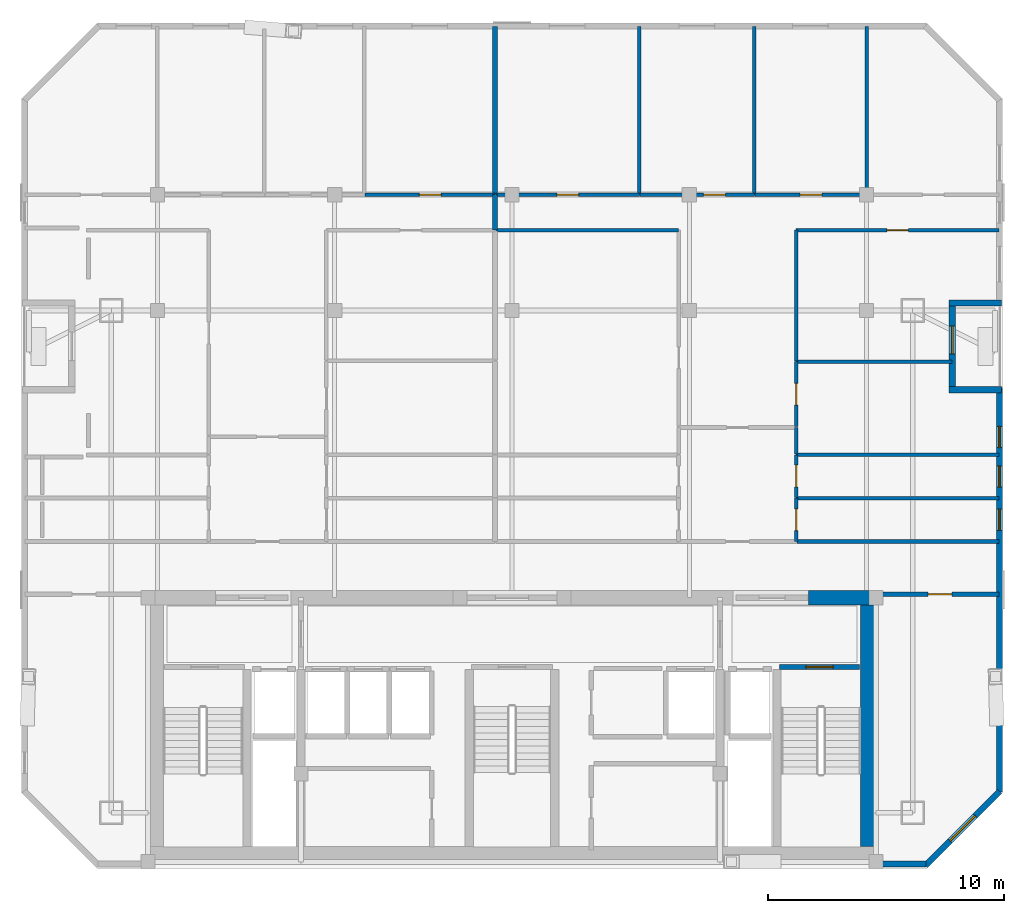
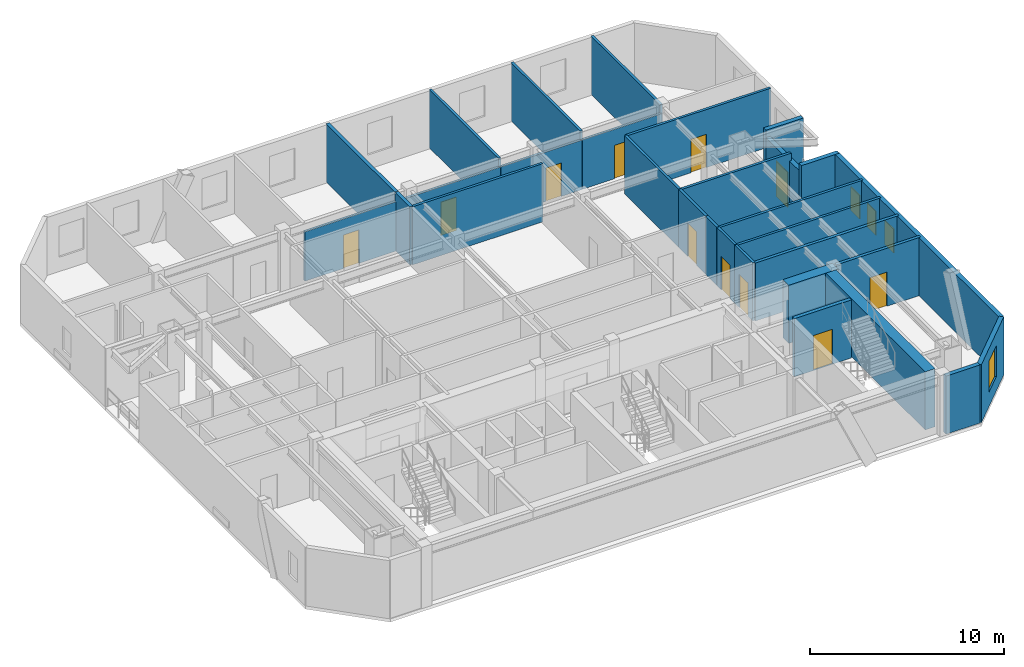
# One storey, part 5 of 7: 30 walls, 11 doors, 4 windows, 15 openings.
"""IFC4 building model written with IfcOpenShell, lengths in metres."""

from ifc_helpers import new_model, si_unit, direction, frame, frame_2d, origin, place, context, subcontext, project, spatial, rectangle, extrude, material, layer, layer_set, type_object, element, fill, save


model = new_model("IFC4")

# Units and contexts
model_context = context("Model", 3, precision=1e-05, world=origin(), true_north=direction((0.0, 1.0)))
body_context = subcontext(model_context, "Body", "Model", "MODEL_VIEW")
ifc_project = project(units=[si_unit("LENGTHUNIT", "METRE"), si_unit("AREAUNIT", "SQUARE_METRE"), si_unit("VOLUMEUNIT", "CUBIC_METRE"), si_unit("PLANEANGLEUNIT", "RADIAN"), si_unit("MASSUNIT", "GRAM", prefix="KILO")], contexts=[model_context])

# Site, building, storey
site_placement = place(None, origin())
site = spatial("IfcSite", under=ifc_project, at=site_placement, CompositionType="ELEMENT")
building_placement = place(site_placement, origin())
building = spatial("IfcBuilding", under=site, at=building_placement, Name="Ventersveld Concourse Tower", CompositionType="ELEMENT")
storey_placement = place(building_placement, frame((0.0, 0.0, 260.60009765625)))
storey = spatial("IfcBuildingStorey", under=building, at=storey_placement, Name="L64", CompositionType="ELEMENT", Elevation=260.60009765625)

# Walls
ifc_material_1 = material(Name="Concrete C50/60", Category="concrete")
ifc_layer_1 = layer(ifc_material_1, 0.60009765625)
ifc_layer_set_1 = layer_set([ifc_layer_1], Name="Concrete C50/60")
wall_type_1 = type_object("IfcWallType", Name="WL-CORE-600", PredefinedType="SHEAR", material=ifc_layer_set_1)
wall_1_placement = place(storey_placement, frame((43.800048828125, 0.919921875, 0.0), z_axis=(0.0, 0.0, 1.0), x_axis=(0.0, 1.0, 0.0)))
element("IfcWall", 1, at=wall_1_placement, inside=storey, type_object=wall_type_1, Name="L64 Rear Core East Shear Wall", PredefinedType="SHEAR", context=body_context, shape_type="SweptSolid", body=[
    extrude(rectangle(XDim=10.530029296875, YDim=0.60009765625, at=frame_2d((5.26513671875, 0.0))), origin(), (0.0, 0.0, 1.0), 3.64990234375),
])
wall_2_placement = place(storey_placement, frame((41.300048828125, 11.449951171875, 0.0), z_axis=(0.0, 0.0, 1.0), x_axis=(1.0, 0.0, 0.0)))
element("IfcWall", 2, at=wall_2_placement, inside=storey, type_object=wall_type_1, Name="L64 Rear Core North Shear Wall NE", PredefinedType="SHEAR", context=body_context, shape_type="SweptSolid", body=[
    extrude(rectangle(XDim=2.949951171875, YDim=0.60009765625, at=frame_2d((1.47509765625, 0.0))), origin(), (0.0, 0.0, 1.0), 3.64990234375),
])

# Wall, opening, door
ifc_material_2 = material(Name="Fire-rated autoclaved aerated masonry blockwork", Category="masonry")
ifc_layer_2 = layer(ifc_material_2, 0.179931640625)
ifc_layer_set_2 = layer_set([ifc_layer_2], Name="Fire-rated autoclaved aerated masonry blockwork")
wall_type_2 = type_object("IfcWallType", Name="WL-CORR-180", PredefinedType="PARTITIONING", material=ifc_layer_set_2)
wall_3_placement = place(storey_placement, frame((44.35498046875, 11.60009765625, 0.0), z_axis=(0.0, 0.0, 1.0), x_axis=(1.0, 0.0, 0.0)))
wall_3 = element("IfcWall", 3, at=wall_3_placement, inside=storey, type_object=wall_type_2, Name="L64 Interior Partition SP-L64-SE-OFF-SP-L64-COR", PredefinedType="PARTITIONING", context=body_context, shape_type="SweptSolid", body=[
    extrude(rectangle(XDim=4.997802734375, YDim=0.179931640625, at=frame_2d((2.4990234375, 0.0))), origin(), (0.0, 0.0, 1.0), 3.64990234375),
])
opening_1_placement = place(wall_3_placement, frame((1.998779296875, 0.0, 0.0)))
opening_1 = element("IfcOpeningElement", 4, at=opening_1_placement, cuts=wall_3, Name="Opening FD3", PredefinedType="OPENING", context=body_context, shape_type="SweptSolid", body=[
    extrude(rectangle(XDim=1.0, YDim=2.14990234375, at=frame_2d((0.5, 1.074951171875))), frame((0.0, 0.10009765625, 0.0), z_axis=(0.0, -1.0, 0.0), x_axis=(1.0, 0.0, 0.0)), (0.0, 0.0, 1.0), 0.199951171875),
])
ifc_material_3 = material(Name="Solid-core hardwood veneer timber", Category="wood")
door_type_1 = type_object("IfcDoorType", Name="DR-FLAT-100", OperationType="NOTDEFINED", PredefinedType="DOOR", material=ifc_material_3)
door_1_placement = place(opening_1_placement, origin())
door_1 = element("IfcDoor", 5, at=door_1_placement, inside=storey, type_object=door_type_1, Name="L64 Interior Door SP-L64-SE-OFF to SP-L64-COR (D-L64-3023)", OperationType="SINGLE_SWING_LEFT", OverallHeight=2.14990234375, OverallWidth=1.0, PredefinedType="DOOR", context=body_context, shape_type="SweptSolid", body=[
    extrude(rectangle(XDim=1.0, YDim=2.14990234375, at=frame_2d((0.5, 1.074951171875))), frame((0.0, 0.02490234375, 0.0), z_axis=(0.0, -1.0, 0.0), x_axis=(1.0, 0.0, 0.0)), (0.0, 0.0, 1.0), 0.050048828125),
])
fill(opening_1, door_1)

# Walls
wall_4_placement = place(storey_placement, frame((40.81201171875, 13.830078125, 0.0), z_axis=(0.0, 0.0, 1.0), x_axis=(1.0, 0.0, 0.0)))
element("IfcWall", 6, at=wall_4_placement, inside=storey, type_object=wall_type_2, Name="L64 Interior Partition SP-L64-COR-SP-L64-64N2-KIT", PredefinedType="PARTITIONING", context=body_context, shape_type="SweptSolid", body=[
    extrude(rectangle(XDim=8.540771484375, YDim=0.179931640625, at=frame_2d((4.2705078125, 0.0))), origin(), (0.0, 0.0, 1.0), 3.64990234375),
])
ifc_layer_3 = layer(ifc_material_2, 0.199951171875)
ifc_layer_set_3 = layer_set([ifc_layer_3], Name="Fire-rated autoclaved aerated masonry blockwork")
wall_type_3 = type_object("IfcWallType", Name="WL-DEMISE-200", PredefinedType="PARTITIONING", material=ifc_layer_set_3)
wall_5_placement = place(storey_placement, frame((28.032470703125, 26.9951171875, 0.0), z_axis=(0.0, 0.0, 1.0), x_axis=(0.0, 1.0, 0.0)))
element("IfcWall", 7, at=wall_5_placement, inside=storey, type_object=wall_type_3, Name="L64 Interior Partition SP-L64-64N1-LIV-SP-L64-64N2-LIV", PredefinedType="PARTITIONING", context=body_context, shape_type="SweptSolid", body=[
    extrude(rectangle(XDim=1.509765625, YDim=0.199951171875, at=frame_2d((0.7548828125, 0.0))), origin(), (0.0, 0.0, 1.0), 3.64990234375),
])
wall_6_placement = place(storey_placement, frame((28.032470703125, 28.534912109375, 0.0), z_axis=(0.0, 0.0, 1.0), x_axis=(0.0, 1.0, 0.0)))
element("IfcWall", 8, at=wall_6_placement, inside=storey, type_object=wall_type_3, Name="L64 Interior Partition SP-L64-64N1-BR4-SP-L64-64N2-BR1", PredefinedType="PARTITIONING", context=body_context, shape_type="SweptSolid", body=[
    extrude(rectangle(XDim=7.076171875, YDim=0.199951171875, at=frame_2d((3.5380859375, 0.0))), origin(), (0.0, 0.0, 1.0), 3.64990234375),
])

# Wall, opening, door
ifc_layer_4 = layer(ifc_material_2, 0.219970703125)
ifc_layer_set_4 = layer_set([ifc_layer_4], Name="Fire-rated autoclaved aerated masonry blockwork")
wall_type_4 = type_object("IfcWallType", Name="WL-HOIST-220", PredefinedType="SOLIDWALL", material=ifc_layer_set_4)
wall_7_placement = place(storey_placement, frame((40.06005859375, 8.52001953125, 0.0), z_axis=(0.0, 0.0, 1.0), x_axis=(1.0, 0.0, 0.0)))
wall_7 = element("IfcWall", 9, at=wall_7_placement, inside=storey, type_object=wall_type_4, Name="L64 Escape Stair ST02 Fire Wall", PredefinedType="SOLIDWALL", context=body_context, shape_type="SweptSolid", body=[
    extrude(rectangle(XDim=3.39990234375, YDim=0.219970703125, at=frame_2d((1.699951171875, 0.0))), origin(), (0.0, 0.0, 1.0), 3.64990234375),
])
opening_2_placement = place(wall_7_placement, frame((1.125, 0.0, 0.0)))
opening_2 = element("IfcOpeningElement", 10, at=opening_2_placement, cuts=wall_7, Name="Opening FD1", PredefinedType="OPENING", context=body_context, shape_type="SweptSolid", body=[
    extrude(rectangle(XDim=1.14990234375, YDim=2.199951171875, at=frame_2d((0.574951171875, 1.10009765625))), frame((0.0, 0.1201171875, 0.0), z_axis=(0.0, -1.0, 0.0), x_axis=(1.0, 0.0, 0.0)), (0.0, 0.0, 1.0), 0.239990234375),
])
ifc_material_4 = material(Name="Galvanised painted steel", Category="steel")
door_type_2 = type_object("IfcDoorType", Name="DR-STAIR-115", OperationType="NOTDEFINED", PredefinedType="DOOR", material=ifc_material_4)
door_2_placement = place(opening_2_placement, origin())
door_2 = element("IfcDoor", 11, at=door_2_placement, inside=storey, type_object=door_type_2, Name="L64 Escape Stair Door ST02 (SD-L64-3012)", OperationType="SINGLE_SWING_RIGHT", OverallHeight=2.199951171875, OverallWidth=1.14990234375, PredefinedType="DOOR", context=body_context, shape_type="SweptSolid", body=[
    extrude(rectangle(XDim=1.14990234375, YDim=2.199951171875, at=frame_2d((0.574951171875, 1.10009765625))), frame((0.0, 0.02490234375, 0.0), z_axis=(0.0, -1.0, 0.0), x_axis=(1.0, 0.0, 0.0)), (0.0, 0.0, 1.0), 0.050048828125),
])
fill(opening_2, door_2)

ifc_material_5 = material(Name="Autoclaved aerated masonry blockwork", Category="masonry")
ifc_layer_5 = layer(ifc_material_5, 0.14990234375)
ifc_layer_set_5 = layer_set([ifc_layer_5], Name="Autoclaved aerated masonry blockwork")
wall_type_5 = type_object("IfcWallType", Name="WL-INT-150", PredefinedType="PARTITIONING", material=ifc_layer_set_5)
wall_8_placement = place(storey_placement, frame((22.5390625, 28.5, 0.0), z_axis=(0.0, 0.0, 1.0), x_axis=(1.0, 0.0, 0.0)))
wall_8 = element("IfcWall", 12, at=wall_8_placement, inside=storey, type_object=wall_type_5, Name="L64 Interior Partition SP-L64-64N1-LIV-SP-L64-64N1-BR4", PredefinedType="PARTITIONING", context=body_context, shape_type="SweptSolid", body=[
    extrude(rectangle(XDim=5.49853515625, YDim=0.14990234375, at=frame_2d((2.749267578125, 0.0))), origin(), (0.0, 0.0, 1.0), 3.10546875),
])
opening_3_placement = place(wall_8_placement, frame((2.289306640625, 0.0, 0.0)))
opening_3 = element("IfcOpeningElement", 13, at=opening_3_placement, cuts=wall_8, Name="Opening ID1", PredefinedType="OPENING", context=body_context, shape_type="SweptSolid", body=[
    extrude(rectangle(XDim=0.919921875, YDim=2.10009765625, at=frame_2d((0.4599609375, 1.050048828125))), frame((0.0, 0.0849609375, 0.0), z_axis=(0.0, -1.0, 0.0), x_axis=(1.0, 0.0, 0.0)), (0.0, 0.0, 1.0), 0.169921875),
])
door_type_3 = type_object("IfcDoorType", Name="DR-ROOM-092", OperationType="NOTDEFINED", PredefinedType="DOOR", material=ifc_material_3)
door_3_placement = place(opening_3_placement, origin())
door_3 = element("IfcDoor", 14, at=door_3_placement, inside=storey, type_object=door_type_3, Name="L64 Interior Door SP-L64-64N1-LIV to SP-L64-64N1-BR4 (D-L64-3037)", OperationType="SINGLE_SWING_LEFT", OverallHeight=2.10009765625, OverallWidth=0.919921875, PredefinedType="DOOR", context=body_context, shape_type="SweptSolid", body=[
    extrude(rectangle(XDim=0.919921875, YDim=2.10009765625, at=frame_2d((0.4599609375, 1.050048828125))), frame((0.0, 0.02490234375, 0.0), z_axis=(0.0, -1.0, 0.0), x_axis=(1.0, 0.0, 0.0)), (0.0, 0.0, 1.0), 0.050048828125),
])
fill(opening_3, door_3)

wall_9_placement = place(storey_placement, frame((40.777099609375, 13.824951171875, 0.0), z_axis=(0.0, 0.0, 1.0), x_axis=(0.0, 1.0, 0.0)))
wall_9 = element("IfcWall", 15, at=wall_9_placement, inside=storey, type_object=wall_type_5, Name="L64 Interior Partition SP-L64-64N2-FOY-SP-L64-64N2-KIT", PredefinedType="PARTITIONING", context=body_context, shape_type="SweptSolid", body=[
    extrude(rectangle(XDim=1.840087890625, YDim=0.14990234375, at=frame_2d((0.919921875, 0.0))), origin(), (0.0, 0.0, 1.0), 3.64990234375),
])
opening_4_placement = place(wall_9_placement, frame((0.4599609375, 0.0, 0.0)))
opening_4 = element("IfcOpeningElement", 16, at=opening_4_placement, cuts=wall_9, Name="Opening ID1", PredefinedType="OPENING", context=body_context, shape_type="SweptSolid", body=[
    extrude(rectangle(XDim=0.919921875, YDim=2.10009765625, at=frame_2d((0.4599609375, 1.050048828125))), frame((0.0, 0.0849609375, 0.0), z_axis=(0.0, -1.0, 0.0), x_axis=(1.0, 0.0, 0.0)), (0.0, 0.0, 1.0), 0.169921875),
])
door_4_placement = place(opening_4_placement, origin())
door_4 = element("IfcDoor", 17, at=door_4_placement, inside=storey, type_object=door_type_3, Name="L64 Interior Door SP-L64-64N2-FOY to SP-L64-64N2-KIT (D-L64-3041)", OperationType="SINGLE_SWING_LEFT", OverallHeight=2.10009765625, OverallWidth=0.919921875, PredefinedType="DOOR", context=body_context, shape_type="SweptSolid", body=[
    extrude(rectangle(XDim=0.919921875, YDim=2.10009765625, at=frame_2d((0.4599609375, 1.050048828125))), frame((0.0, 0.02490234375, 0.0), z_axis=(0.0, -1.0, 0.0), x_axis=(1.0, 0.0, 0.0)), (0.0, 0.0, 1.0), 0.050048828125),
])
fill(opening_4, door_4)

wall_10_placement = place(storey_placement, frame((40.777099609375, 15.695068359375, 0.0), z_axis=(0.0, 0.0, 1.0), x_axis=(0.0, 1.0, 0.0)))
wall_10 = element("IfcWall", 18, at=wall_10_placement, inside=storey, type_object=wall_type_5, Name="L64 Interior Partition SP-L64-64N2-FOY-SP-L64-64N2-PANR1", PredefinedType="PARTITIONING", context=body_context, shape_type="SweptSolid", body=[
    extrude(rectangle(XDim=1.800048828125, YDim=0.14990234375, at=frame_2d((0.89990234375, 0.0))), origin(), (0.0, 0.0, 1.0), 3.64990234375),
])
opening_5_placement = place(wall_10_placement, frame((0.43994140625, 0.0, 0.0)))
opening_5 = element("IfcOpeningElement", 19, at=opening_5_placement, cuts=wall_10, Name="Opening ID1", PredefinedType="OPENING", context=body_context, shape_type="SweptSolid", body=[
    extrude(rectangle(XDim=0.919921875, YDim=2.10009765625, at=frame_2d((0.4599609375, 1.050048828125))), frame((0.0, 0.0849609375, 0.0), z_axis=(0.0, -1.0, 0.0), x_axis=(1.0, 0.0, 0.0)), (0.0, 0.0, 1.0), 0.169921875),
])
door_5_placement = place(opening_5_placement, origin())
door_5 = element("IfcDoor", 20, at=door_5_placement, inside=storey, type_object=door_type_3, Name="L64 Interior Door SP-L64-64N2-FOY to SP-L64-64N2-PANR1 (D-L64-3042)", OperationType="SINGLE_SWING_RIGHT", OverallHeight=2.10009765625, OverallWidth=0.919921875, PredefinedType="DOOR", context=body_context, shape_type="SweptSolid", body=[
    extrude(rectangle(XDim=0.919921875, YDim=2.10009765625, at=frame_2d((0.4599609375, 1.050048828125))), frame((0.0, 0.02490234375, 0.0), z_axis=(0.0, -1.0, 0.0), x_axis=(1.0, 0.0, 0.0)), (0.0, 0.0, 1.0), 0.050048828125),
])
fill(opening_5, door_5)

# Walls
wall_11_placement = place(storey_placement, frame((40.777099609375, 17.52490234375, 0.0), z_axis=(0.0, 0.0, 1.0), x_axis=(0.0, 1.0, 0.0)))
element("IfcWall", 21, at=wall_11_placement, inside=storey, type_object=wall_type_5, Name="L64 Interior Partition SP-L64-64N2-FOY-SP-L64-64N2-DENR", PredefinedType="PARTITIONING", context=body_context, shape_type="SweptSolid", body=[
    extrude(rectangle(XDim=1.130859375, YDim=0.14990234375, at=frame_2d((0.5654296875, 0.0))), origin(), (0.0, 0.0, 1.0), 3.64990234375),
])
wall_12_placement = place(storey_placement, frame((28.0673828125, 27.0, 0.0), z_axis=(0.0, 0.0, 1.0), x_axis=(1.0, 0.0, 0.0)))
element("IfcWall", 22, at=wall_12_placement, inside=storey, type_object=wall_type_5, Name="L64 Interior Partition SP-L64-64N2-LIV-SP-L64-64N2-OFFL0", PredefinedType="PARTITIONING", context=body_context, shape_type="SweptSolid", body=[
    extrude(rectangle(XDim=7.734619140625, YDim=0.14990234375, at=frame_2d((3.8671875, 0.0))), origin(), (0.0, 0.0, 1.0), 3.64990234375),
])

# Wall, opening, door
wall_13_placement = place(storey_placement, frame((40.777099609375, 18.685791015625, 0.0), z_axis=(0.0, 0.0, 1.0), x_axis=(0.0, 1.0, 0.0)))
wall_13 = element("IfcWall", 23, at=wall_13_placement, inside=storey, type_object=wall_type_5, Name="L64 Interior Partition SP-L64-64N2-LIV-SP-L64-64N2-DENR", PredefinedType="PARTITIONING", context=body_context, shape_type="SweptSolid", body=[
    extrude(rectangle(XDim=2.747314453125, YDim=0.14990234375, at=frame_2d((1.37353515625, 0.0))), origin(), (0.0, 0.0, 1.0), 3.64990234375),
])
opening_6_placement = place(wall_13_placement, frame((0.91357421875, 0.0, 0.0)))
opening_6 = element("IfcOpeningElement", 24, at=opening_6_placement, cuts=wall_13, Name="Opening ID1", PredefinedType="OPENING", context=body_context, shape_type="SweptSolid", body=[
    extrude(rectangle(XDim=0.919921875, YDim=2.10009765625, at=frame_2d((0.4599609375, 1.050048828125))), frame((0.0, 0.0849609375, 0.0), z_axis=(0.0, -1.0, 0.0), x_axis=(1.0, 0.0, 0.0)), (0.0, 0.0, 1.0), 0.169921875),
])
door_6_placement = place(opening_6_placement, origin())
door_6 = element("IfcDoor", 25, at=door_6_placement, inside=storey, type_object=door_type_3, Name="L64 Interior Door SP-L64-64N2-LIV to SP-L64-64N2-DENR (D-L64-3044)", OperationType="SINGLE_SWING_RIGHT", OverallHeight=2.10009765625, OverallWidth=0.919921875, PredefinedType="DOOR", context=body_context, shape_type="SweptSolid", body=[
    extrude(rectangle(XDim=0.919921875, YDim=2.10009765625, at=frame_2d((0.4599609375, 1.050048828125))), frame((0.0, 0.02490234375, 0.0), z_axis=(0.0, -1.0, 0.0), x_axis=(1.0, 0.0, 0.0)), (0.0, 0.0, 1.0), 0.050048828125),
])
fill(opening_6, door_6)

wall_14_placement = place(storey_placement, frame((40.772216796875, 27.0, 0.0), z_axis=(0.0, 0.0, 1.0), x_axis=(1.0, 0.0, 0.0)))
wall_14 = element("IfcWall", 26, at=wall_14_placement, inside=storey, type_object=wall_type_5, Name="L64 Interior Partition SP-L64-64N2-LIV-SP-L64-64N2-DENS2", PredefinedType="PARTITIONING", context=body_context, shape_type="SweptSolid", body=[
    extrude(rectangle(XDim=8.58056640625, YDim=0.14990234375, at=frame_2d((4.290283203125, 0.0))), origin(), (0.0, 0.0, 1.0), 3.64990234375),
])
opening_7_placement = place(wall_14_placement, frame((3.830322265625, 0.0, 0.0)))
opening_7 = element("IfcOpeningElement", 27, at=opening_7_placement, cuts=wall_14, Name="Opening ID1", PredefinedType="OPENING", context=body_context, shape_type="SweptSolid", body=[
    extrude(rectangle(XDim=0.919921875, YDim=2.10009765625, at=frame_2d((0.4599609375, 1.050048828125))), frame((0.0, 0.0849609375, 0.0), z_axis=(0.0, -1.0, 0.0), x_axis=(1.0, 0.0, 0.0)), (0.0, 0.0, 1.0), 0.169921875),
])
door_7_placement = place(opening_7_placement, origin())
door_7 = element("IfcDoor", 28, at=door_7_placement, inside=storey, type_object=door_type_3, Name="L64 Interior Door SP-L64-64N2-LIV to SP-L64-64N2-DENS2 (D-L64-3045)", OperationType="SINGLE_SWING_LEFT", OverallHeight=2.10009765625, OverallWidth=0.919921875, PredefinedType="DOOR", context=body_context, shape_type="SweptSolid", body=[
    extrude(rectangle(XDim=0.919921875, YDim=2.10009765625, at=frame_2d((0.4599609375, 1.050048828125))), frame((0.0, 0.02490234375, 0.0), z_axis=(0.0, -1.0, 0.0), x_axis=(1.0, 0.0, 0.0)), (0.0, 0.0, 1.0), 0.050048828125),
])
fill(opening_7, door_7)

# Wall
wall_15_placement = place(storey_placement, frame((40.777099609375, 21.463134765625, 0.0), z_axis=(0.0, 0.0, 1.0), x_axis=(0.0, 1.0, 0.0)))
element("IfcWall", 29, at=wall_15_placement, inside=storey, type_object=wall_type_5, Name="L64 Interior Partition SP-L64-64N2-LIV-SP-L64-64N2-DENS2", PredefinedType="PARTITIONING", context=body_context, shape_type="SweptSolid", body=[
    extrude(rectangle(XDim=5.541748046875, YDim=0.14990234375, at=frame_2d((2.77099609375, 0.0))), origin(), (0.0, 0.0, 1.0), 3.64990234375),
])

# Wall, opening, door
wall_16_placement = place(storey_placement, frame((28.0673828125, 28.5, 0.0), z_axis=(0.0, 0.0, 1.0), x_axis=(1.0, 0.0, 0.0)))
wall_16 = element("IfcWall", 30, at=wall_16_placement, inside=storey, type_object=wall_type_5, Name="L64 Interior Partition SP-L64-64N2-LIV-SP-L64-64N2-BR1", PredefinedType="PARTITIONING", context=body_context, shape_type="SweptSolid", body=[
    extrude(rectangle(XDim=6.07568359375, YDim=0.14990234375, at=frame_2d((3.037841796875, 0.0))), origin(), (0.0, 0.0, 1.0), 3.10546875),
])
opening_8_placement = place(wall_16_placement, frame((2.577880859375, 0.0, 0.0)))
opening_8 = element("IfcOpeningElement", 31, at=opening_8_placement, cuts=wall_16, Name="Opening ID1", PredefinedType="OPENING", context=body_context, shape_type="SweptSolid", body=[
    extrude(rectangle(XDim=0.919921875, YDim=2.10009765625, at=frame_2d((0.4599609375, 1.050048828125))), frame((0.0, 0.0849609375, 0.0), z_axis=(0.0, -1.0, 0.0), x_axis=(1.0, 0.0, 0.0)), (0.0, 0.0, 1.0), 0.169921875),
])
door_8_placement = place(opening_8_placement, origin())
door_8 = element("IfcDoor", 32, at=door_8_placement, inside=storey, type_object=door_type_3, Name="L64 Interior Door SP-L64-64N2-LIV to SP-L64-64N2-BR1 (D-L64-3046)", OperationType="SINGLE_SWING_RIGHT", OverallHeight=2.10009765625, OverallWidth=0.919921875, PredefinedType="DOOR", context=body_context, shape_type="SweptSolid", body=[
    extrude(rectangle(XDim=0.919921875, YDim=2.10009765625, at=frame_2d((0.4599609375, 1.050048828125))), frame((0.0, 0.02490234375, 0.0), z_axis=(0.0, -1.0, 0.0), x_axis=(1.0, 0.0, 0.0)), (0.0, 0.0, 1.0), 0.050048828125),
])
fill(opening_8, door_8)

wall_17_placement = place(storey_placement, frame((34.173095703125, 28.5, 0.0), z_axis=(0.0, 0.0, 1.0), x_axis=(1.0, 0.0, 0.0)))
wall_17 = element("IfcWall", 33, at=wall_17_placement, inside=storey, type_object=wall_type_5, Name="L64 Interior Partition SP-L64-64N2-LIV-SP-L64-64N2-BR2", PredefinedType="PARTITIONING", context=body_context, shape_type="SweptSolid", body=[
    extrude(rectangle(XDim=4.828125, YDim=0.14990234375, at=frame_2d((2.4140625, 0.0))), origin(), (0.0, 0.0, 1.0), 3.10546875),
])
opening_9_placement = place(wall_17_placement, frame((2.67822265625, 0.0, 0.0)))
opening_9 = element("IfcOpeningElement", 34, at=opening_9_placement, cuts=wall_17, Name="Opening ID1", PredefinedType="OPENING", context=body_context, shape_type="SweptSolid", body=[
    extrude(rectangle(XDim=0.919921875, YDim=2.10009765625, at=frame_2d((0.4599609375, 1.050048828125))), frame((0.0, 0.0849609375, 0.0), z_axis=(0.0, -1.0, 0.0), x_axis=(1.0, 0.0, 0.0)), (0.0, 0.0, 1.0), 0.169921875),
])
door_9_placement = place(opening_9_placement, origin())
door_9 = element("IfcDoor", 35, at=door_9_placement, inside=storey, type_object=door_type_3, Name="L64 Interior Door SP-L64-64N2-LIV to SP-L64-64N2-BR2 (D-L64-3047)", OperationType="SINGLE_SWING_LEFT", OverallHeight=2.10009765625, OverallWidth=0.919921875, PredefinedType="DOOR", context=body_context, shape_type="SweptSolid", body=[
    extrude(rectangle(XDim=0.919921875, YDim=2.10009765625, at=frame_2d((0.4599609375, 1.050048828125))), frame((0.0, 0.02490234375, 0.0), z_axis=(0.0, -1.0, 0.0), x_axis=(1.0, 0.0, 0.0)), (0.0, 0.0, 1.0), 0.050048828125),
])
fill(opening_9, door_9)

wall_18_placement = place(storey_placement, frame((39.03125, 28.5, 0.0), z_axis=(0.0, 0.0, 1.0), x_axis=(1.0, 0.0, 0.0)))
wall_18 = element("IfcWall", 36, at=wall_18_placement, inside=storey, type_object=wall_type_5, Name="L64 Interior Partition SP-L64-64N2-LIV-SP-L64-64N2-BR3", PredefinedType="PARTITIONING", context=body_context, shape_type="SweptSolid", body=[
    extrude(rectangle(XDim=4.7236328125, YDim=0.14990234375, at=frame_2d((2.36181640625, 0.0))), origin(), (0.0, 0.0, 1.0), 3.10546875),
])
opening_10_placement = place(wall_18_placement, frame((1.90185546875, 0.0, 0.0)))
opening_10 = element("IfcOpeningElement", 37, at=opening_10_placement, cuts=wall_18, Name="Opening ID1", PredefinedType="OPENING", context=body_context, shape_type="SweptSolid", body=[
    extrude(rectangle(XDim=0.919921875, YDim=2.10009765625, at=frame_2d((0.4599609375, 1.050048828125))), frame((0.0, 0.0849609375, 0.0), z_axis=(0.0, -1.0, 0.0), x_axis=(1.0, 0.0, 0.0)), (0.0, 0.0, 1.0), 0.169921875),
])
door_10_placement = place(opening_10_placement, origin())
door_10 = element("IfcDoor", 38, at=door_10_placement, inside=storey, type_object=door_type_3, Name="L64 Interior Door SP-L64-64N2-LIV to SP-L64-64N2-BR3 (D-L64-3048)", OperationType="SINGLE_SWING_RIGHT", OverallHeight=2.10009765625, OverallWidth=0.919921875, PredefinedType="DOOR", context=body_context, shape_type="SweptSolid", body=[
    extrude(rectangle(XDim=0.919921875, YDim=2.10009765625, at=frame_2d((0.4599609375, 1.050048828125))), frame((0.0, 0.02490234375, 0.0), z_axis=(0.0, -1.0, 0.0), x_axis=(1.0, 0.0, 0.0)), (0.0, 0.0, 1.0), 0.050048828125),
])
fill(opening_10, door_10)

# Walls
for number, where, z_axis, x_axis, name in (
    (39, (40.772216796875, 15.659912109375, 0.0), (0.0, 0.0, 1.0), (1.0, 0.0, 0.0), "L64 Interior Partition SP-L64-64N2-KIT-SP-L64-64N2-PANR1"),
    (40, (40.772216796875, 17.489990234375, 0.0), (0.0, 0.0, 1.0), (1.0, 0.0, 0.0), "L64 Interior Partition SP-L64-64N2-PANR1-SP-L64-64N2-DENR"),
):
    element("IfcWall", number, at=place(storey_placement, frame(where, z_axis=z_axis, x_axis=x_axis)), inside=storey, type_object=wall_type_5, Name=name, PredefinedType="PARTITIONING", context=body_context, shape_type="SweptSolid", body=[
        extrude(rectangle(XDim=8.58056640625, YDim=0.14990234375, at=frame_2d((4.290283203125, 0.0))), origin(), (0.0, 0.0, 1.0), 3.64990234375),
    ])
wall_19_placement = place(storey_placement, frame((40.772216796875, 21.427978515625, 0.0), z_axis=(0.0, 0.0, 1.0), x_axis=(1.0, 0.0, 0.0)))
element("IfcWall", 41, at=wall_19_placement, inside=storey, type_object=wall_type_5, Name="L64 Interior Partition SP-L64-64N2-DENR-SP-L64-64N2-DENS2", PredefinedType="PARTITIONING", context=body_context, shape_type="SweptSolid", body=[
    extrude(rectangle(XDim=6.58056640625, YDim=0.14990234375, at=frame_2d((3.290283203125, 0.0))), origin(), (0.0, 0.0, 1.0), 3.64990234375),
])
for number, where, z_axis, x_axis, name in (
    (42, (34.13818359375, 28.4951171875, 0.0), (0.0, 0.0, 1.0), (0.0, 1.0, 0.0), "L64 Interior Partition SP-L64-64N2-BR1-SP-L64-64N2-BR2"),
    (43, (38.99609375, 28.4951171875, 0.0), (0.0, 0.0, 1.0), (0.0, 1.0, 0.0), "L64 Interior Partition SP-L64-64N2-BR2-SP-L64-64N2-BR3"),
    (44, (43.75, 28.4951171875, 0.0), (0.0, 0.0, 1.0), (0.0, 1.0, 0.0), "L64 Interior Partition SP-L64-64N2-BR3-SP-L64-64N2-BR4"),
):
    element("IfcWall", number, at=place(storey_placement, frame(where, z_axis=z_axis, x_axis=x_axis)), inside=storey, type_object=wall_type_5, Name=name, PredefinedType="PARTITIONING", context=body_context, shape_type="SweptSolid", body=[
        extrude(rectangle(XDim=7.115966796875, YDim=0.14990234375, at=frame_2d((3.55810546875, 0.0))), origin(), (0.0, 0.0, 1.0), 3.64990234375),
    ])
ifc_material_6 = material(Name="Precast concrete C45/55", Category="concrete")
ifc_layer_6 = layer(ifc_material_6, 0.260009765625)
ifc_layer_set_6 = layer_set([ifc_layer_6], Name="Precast concrete C45/55")
wall_type_6 = type_object("IfcWallType", Name="WL-PREC-260", PredefinedType="SOLIDWALL", material=ifc_layer_set_6)
wall_20_placement = place(storey_placement, frame((44.25, 0.179931640625, 0.0), z_axis=(0.0, 0.0, 1.0), x_axis=(1.0, 0.0, 0.0)))
element("IfcWall", 45, at=wall_20_placement, inside=storey, type_object=wall_type_6, Name="L64 South-East Flank Precast Wall", PredefinedType="SOLIDWALL", context=body_context, shape_type="SweptSolid", body=[
    extrude(rectangle(XDim=2.01220703125, YDim=0.260009765625, at=frame_2d((1.006103515625, 0.0))), origin(), (0.0, 0.0, 1.0), 3.64990234375),
])

# Wall, opening, window
wall_21_placement = place(storey_placement, frame((46.23876953125, 0.1201171875, 0.0), z_axis=(0.0, 0.0, 1.0), x_axis=(0.707079321262, 0.707134240044, 0.0)))
wall_21 = element("IfcWall", 46, at=wall_21_placement, inside=storey, type_object=wall_type_6, Name="L64 Highveld Precast Facade Wall E02", PredefinedType="SOLIDWALL", context=body_context, shape_type="SweptSolid", body=[
    extrude(rectangle(XDim=4.445556640625, YDim=0.260009765625, at=frame_2d((2.22265625, 0.0))), origin(), (0.0, 0.0, 1.0), 3.64990234375),
])
opening_11_placement = place(wall_21_placement, frame((1.47265625, 0.0, 0.89990234375)))
opening_11 = element("IfcOpeningElement", 47, at=opening_11_placement, cuts=wall_21, Name="Opening W1", PredefinedType="OPENING", context=body_context, shape_type="SweptSolid", body=[
    extrude(rectangle(XDim=1.5, YDim=1.949951171875, at=frame_2d((0.75, 0.97509765625))), frame((0.0, 0.14013671875, 0.0), z_axis=(0.0, -1.0, 0.0), x_axis=(1.0, 0.0, 0.0)), (0.0, 0.0, 1.0), 0.280029296875),
])
ifc_material_7 = material(Name="Tempered acoustic Low-E IGU", Category="glass")
window_type_1 = type_object("IfcWindowType", Name="WIN-150x210", PartitioningType="SINGLE_PANEL", PredefinedType="WINDOW", material=ifc_material_7)
window_1_placement = place(opening_11_placement, origin())
window_1 = element("IfcWindow", 48, at=window_1_placement, inside=storey, type_object=window_type_1, Name="L64 Punched Low-E Window W-0906", OverallHeight=1.949951171875, OverallWidth=1.5, PartitioningType="SINGLE_PANEL", PredefinedType="WINDOW", context=body_context, shape_type="SweptSolid", body=[
    extrude(rectangle(XDim=1.5, YDim=1.949951171875, at=frame_2d((0.75, 0.97509765625))), frame((0.0, 0.030029296875, 0.0), z_axis=(0.0, -1.0, 0.0), x_axis=(1.0, 0.0, 0.0)), (0.0, 0.0, 1.0), 0.06005859375),
])
fill(opening_11, window_1)

# Wall, openings, windows
wall_22_placement = place(storey_placement, frame((49.372314453125, 3.239990234375, 0.0), z_axis=(0.0, 0.0, 1.0), x_axis=(0.0, 1.0, 0.0)))
wall_22 = element("IfcWall", 49, at=wall_22_placement, inside=storey, type_object=wall_type_6, Name="L64 Highveld Precast Facade Wall E03", PredefinedType="SOLIDWALL", context=body_context, shape_type="SweptSolid", body=[
    extrude(rectangle(XDim=17.100341796875, YDim=0.260009765625, at=frame_2d((8.55029296875, 0.0))), origin(), (0.0, 0.0, 1.0), 3.64990234375),
])
opening_12_placement = place(wall_22_placement, frame((11.054931640625, 0.0, 0.949951171875)))
opening_12 = element("IfcOpeningElement", 50, at=opening_12_placement, cuts=wall_22, Name="Opening W4", PredefinedType="OPENING", context=body_context, shape_type="SweptSolid", body=[
    extrude(rectangle(XDim=0.89990234375, YDim=1.5, at=frame_2d((0.449951171875, 0.75))), frame((0.0, 0.14013671875, 0.0), z_axis=(0.0, -1.0, 0.0), x_axis=(1.0, 0.0, 0.0)), (0.0, 0.0, 1.0), 0.280029296875),
])
opening_13_placement = place(wall_22_placement, frame((12.885009765625, 0.0, 0.949951171875)))
opening_13 = element("IfcOpeningElement", 51, at=opening_13_placement, cuts=wall_22, Name="Opening W4", PredefinedType="OPENING", context=body_context, shape_type="SweptSolid", body=[
    extrude(rectangle(XDim=0.89990234375, YDim=1.5, at=frame_2d((0.449951171875, 0.75))), frame((0.0, 0.14013671875, 0.0), z_axis=(0.0, -1.0, 0.0), x_axis=(1.0, 0.0, 0.0)), (0.0, 0.0, 1.0), 0.280029296875),
])
opening_14_placement = place(wall_22_placement, frame((14.559814453125, 0.0, 0.949951171875)))
opening_14 = element("IfcOpeningElement", 52, at=opening_14_placement, cuts=wall_22, Name="Opening W4", PredefinedType="OPENING", context=body_context, shape_type="SweptSolid", body=[
    extrude(rectangle(XDim=0.89990234375, YDim=1.5, at=frame_2d((0.449951171875, 0.75))), frame((0.0, 0.14013671875, 0.0), z_axis=(0.0, -1.0, 0.0), x_axis=(1.0, 0.0, 0.0)), (0.0, 0.0, 1.0), 0.280029296875),
])
window_type_2 = type_object("IfcWindowType", Name="WIN-090x150", PartitioningType="SINGLE_PANEL", PredefinedType="WINDOW", material=ifc_material_7)
window_2_placement = place(opening_12_placement, origin())
window_2 = element("IfcWindow", 53, at=window_2_placement, inside=storey, type_object=window_type_2, Name="L64 Punched Low-E Window W-0913", OverallHeight=1.5, OverallWidth=0.89990234375, PartitioningType="SINGLE_PANEL", PredefinedType="WINDOW", context=body_context, shape_type="SweptSolid", body=[
    extrude(rectangle(XDim=0.89990234375, YDim=1.5, at=frame_2d((0.449951171875, 0.75))), frame((0.0, 0.030029296875, 0.0), z_axis=(0.0, -1.0, 0.0), x_axis=(1.0, 0.0, 0.0)), (0.0, 0.0, 1.0), 0.06005859375),
])
fill(opening_12, window_2)
window_3_placement = place(opening_13_placement, origin())
window_3 = element("IfcWindow", 54, at=window_3_placement, inside=storey, type_object=window_type_2, Name="L64 Punched Low-E Window W-0914", OverallHeight=1.5, OverallWidth=0.89990234375, PartitioningType="SINGLE_PANEL", PredefinedType="WINDOW", context=body_context, shape_type="SweptSolid", body=[
    extrude(rectangle(XDim=0.89990234375, YDim=1.5, at=frame_2d((0.449951171875, 0.75))), frame((0.0, 0.030029296875, 0.0), z_axis=(0.0, -1.0, 0.0), x_axis=(1.0, 0.0, 0.0)), (0.0, 0.0, 1.0), 0.06005859375),
])
fill(opening_13, window_3)
window_4_placement = place(opening_14_placement, origin())
window_4 = element("IfcWindow", 55, at=window_4_placement, inside=storey, type_object=window_type_2, Name="L64 Punched Low-E Window W-0915", OverallHeight=1.5, OverallWidth=0.89990234375, PartitioningType="SINGLE_PANEL", PredefinedType="WINDOW", context=body_context, shape_type="SweptSolid", body=[
    extrude(rectangle(XDim=0.89990234375, YDim=1.5, at=frame_2d((0.449951171875, 0.75))), frame((0.0, 0.030029296875, 0.0), z_axis=(0.0, -1.0, 0.0), x_axis=(1.0, 0.0, 0.0)), (0.0, 0.0, 1.0), 0.06005859375),
])
fill(opening_14, window_4)

# Wall
wall_23_placement = place(storey_placement, frame((49.46240234375, 20.250244140625, 0.0), z_axis=(0.0, 0.0, 1.0), x_axis=(-1.0, 0.0, 0.0)))
element("IfcWall", 56, at=wall_23_placement, inside=storey, type_object=wall_type_6, Name="L64 Highveld Precast Facade Wall E04", PredefinedType="SOLIDWALL", context=body_context, shape_type="SweptSolid", body=[
    extrude(rectangle(XDim=2.22021484375, YDim=0.260009765625, at=frame_2d((1.110107421875, 0.0))), origin(), (0.0, 0.0, 1.0), 3.64990234375),
])

# Wall, opening, door
wall_24_placement = place(storey_placement, frame((47.372314453125, 20.38037109375, 0.0), z_axis=(0.0, 0.0, 1.0), x_axis=(0.0, 1.0, 0.0)))
wall_24 = element("IfcWall", 57, at=wall_24_placement, inside=storey, type_object=wall_type_6, Name="L64 Highveld Precast Facade Wall E05", PredefinedType="SOLIDWALL", context=body_context, shape_type="SweptSolid", body=[
    extrude(rectangle(XDim=3.39990234375, YDim=0.260009765625, at=frame_2d((1.699951171875, 0.0))), origin(), (0.0, 0.0, 1.0), 3.18994140625),
])
opening_15_placement = place(wall_24_placement, frame((1.3720703125, 0.0, 0.0)))
opening_15 = element("IfcOpeningElement", 58, at=opening_15_placement, cuts=wall_24, Name="Opening TD1", PredefinedType="OPENING", context=body_context, shape_type="SweptSolid", body=[
    extrude(rectangle(XDim=1.199951171875, YDim=2.199951171875, at=frame_2d((0.60009765625, 1.10009765625))), frame((0.0, 0.14013671875, 0.0), z_axis=(0.0, -1.0, 0.0), x_axis=(1.0, 0.0, 0.0)), (0.0, 0.0, 1.0), 0.280029296875),
])
ifc_material_8 = material(Name="Anodised aluminium EN AW-6063-T6", Category="aluminium")
door_type_4 = type_object("IfcDoorType", Name="DR-TERR-120", OperationType="NOTDEFINED", PredefinedType="DOOR", material=ifc_material_8)
door_11_placement = place(opening_15_placement, frame((1.199951171875, 0.0, 0.0), z_axis=(0.0, 0.0, 1.0), x_axis=(-1.0, 0.0, 0.0)))
door_11 = element("IfcDoor", 59, at=door_11_placement, inside=storey, type_object=door_type_4, Name="L64 Stepped Valley Terrace Door TD-L64-02", OperationType="SINGLE_SWING_RIGHT", OverallHeight=2.199951171875, OverallWidth=1.199951171875, PredefinedType="DOOR", context=body_context, shape_type="SweptSolid", body=[
    extrude(rectangle(XDim=1.199951171875, YDim=2.199951171875, at=frame_2d((0.60009765625, 1.10009765625))), frame((0.0, 0.02490234375, 0.0), z_axis=(0.0, -1.0, 0.0), x_axis=(1.0, 0.0, 0.0)), (0.0, 0.0, 1.0), 0.050048828125),
])
fill(opening_15, door_11)

# Wall
wall_25_placement = place(storey_placement, frame((47.2421875, 23.910400390625, 0.0), z_axis=(0.0, 0.0, 1.0), x_axis=(1.0, 0.0, 0.0)))
element("IfcWall", 60, at=wall_25_placement, inside=storey, type_object=wall_type_6, Name="L64 Highveld Precast Facade Wall E06", PredefinedType="SOLIDWALL", context=body_context, shape_type="SweptSolid", body=[
    extrude(rectangle(XDim=2.22021484375, YDim=0.260009765625, at=frame_2d((1.110107421875, 0.0))), origin(), (0.0, 0.0, 1.0), 3.64990234375),
])

save(model, "model.ifc")
